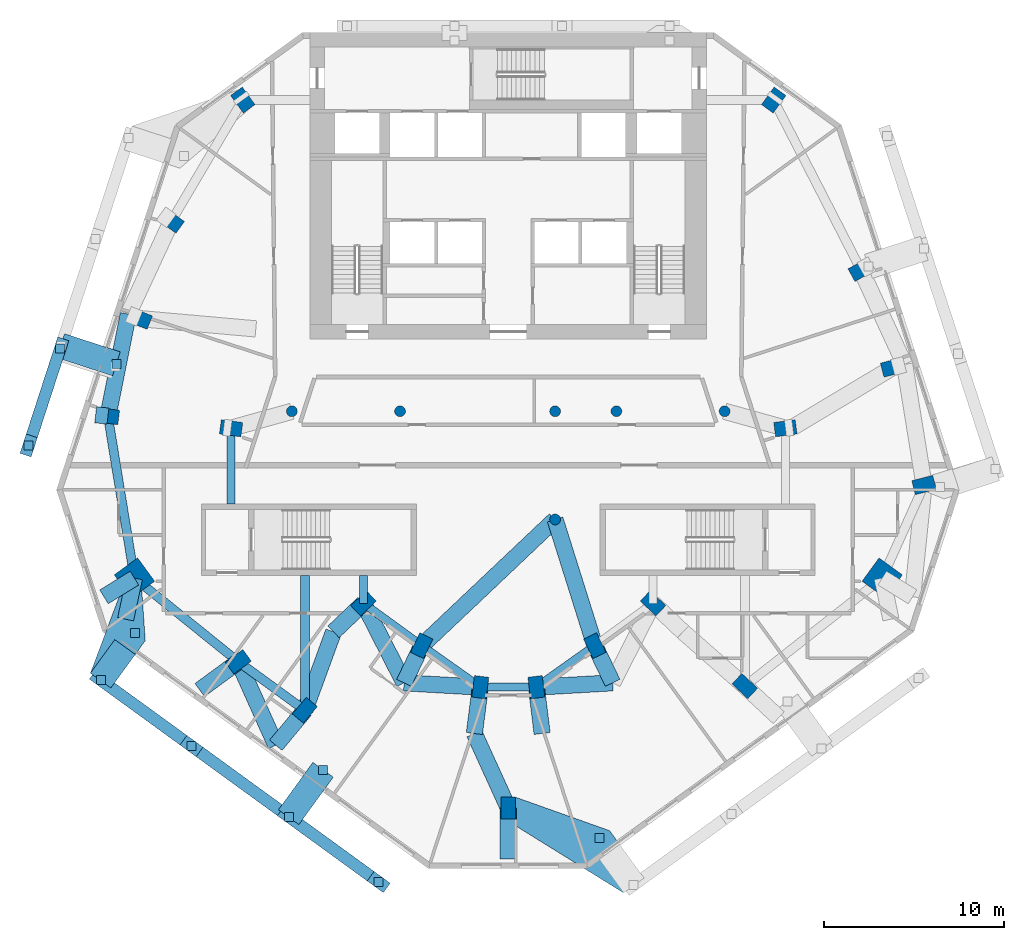
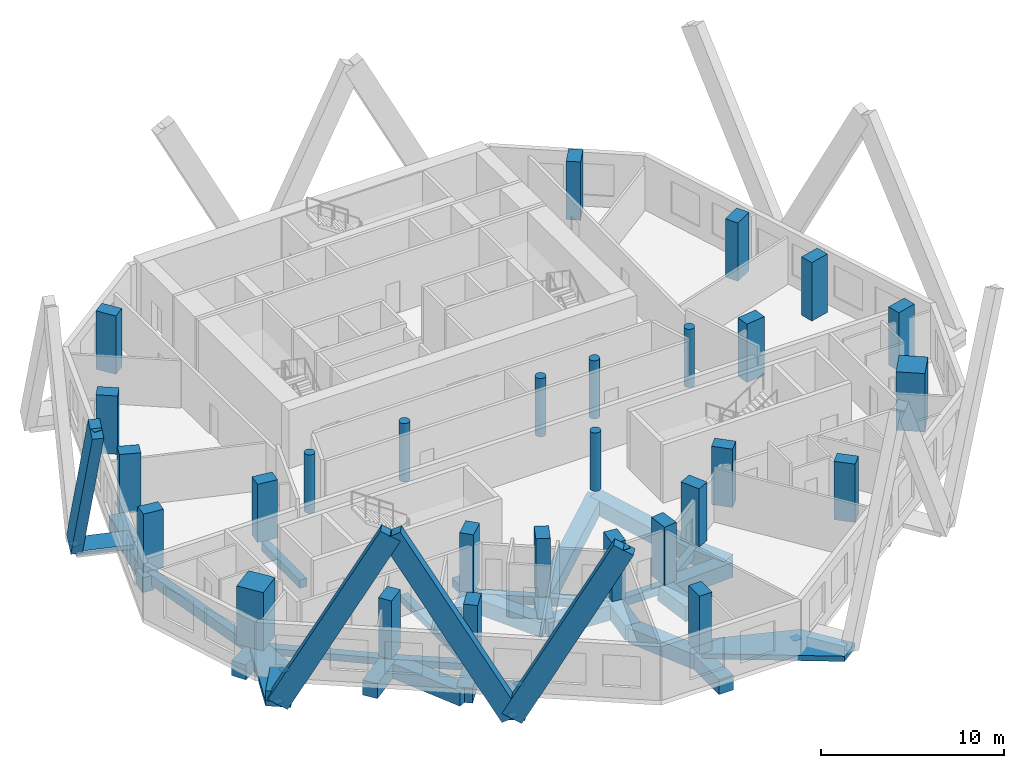
# One storey, part 1 of 10: 30 beams, 28 columns, 10 discrete accessories, 9 members.
"""IFC4 building model written with IfcOpenShell, lengths in metres."""

from ifc_helpers import new_model, si_unit, direction, frame, origin, origin_2d, place, context, subcontext, project, spatial, polyline, rectangle, circle, outline, extrude, material, layer, layer_set, material_profile, profile_set, type_object, element, aggregate, save


model = new_model("IFC4")

# Units and contexts
model_context = context("Model", 3, precision=1e-05, world=origin(), true_north=direction((0.0, 1.0)))
body_context = subcontext(model_context, "Body", "Model", "MODEL_VIEW")
ifc_project = project(units=[si_unit("LENGTHUNIT", "METRE"), si_unit("AREAUNIT", "SQUARE_METRE"), si_unit("VOLUMEUNIT", "CUBIC_METRE"), si_unit("PLANEANGLEUNIT", "RADIAN"), si_unit("MASSUNIT", "GRAM", prefix="KILO")], contexts=[model_context])

# Site, building, storey
site_placement = place(None, origin())
site = spatial("IfcSite", under=ifc_project, at=site_placement, CompositionType="ELEMENT")
building_placement = place(site_placement, origin())
building = spatial("IfcBuilding", under=site, at=building_placement, Name="White Candle Pilgrim Tower", CompositionType="ELEMENT")
storey_placement = place(building_placement, frame((0.0, 0.0, 196.5)))
storey = spatial("IfcBuildingStorey", under=building, at=storey_placement, Name="L45", CompositionType="ELEMENT", Elevation=196.5)

# Columns
ifc_material_1 = material(Name="Concrete C70/85", Category="concrete")
ifc_material_profile_1 = material_profile(ifc_material_1, circle(Radius=0.300048828125, at=origin_2d()), Name="RC-COL D600")
ifc_profile_set_1 = profile_set([ifc_material_profile_1], Name="Concrete C70/85")
column_type_1 = type_object("IfcColumnType", Name="Interior column RC-COL D600 C70/85", PredefinedType="COLUMN", material=ifc_profile_set_1)
for number, where, z_axis, x_axis, name in (
    (1, (58.0, 67.0, 0.0), (0.0, 0.0, 1.0), (1.0, 0.0, 0.0), "L45 column I01"),
    (2, (64.0, 67.0, 0.0), (0.0, 0.0, 1.0), (1.0, 0.0, 0.0), "L45 column I02"),
    (3, (72.60009765625, 61.0, 0.0), (0.0, 0.0, 1.0), (1.0, 0.0, 0.0), "L45 column I03"),
    (4, (72.60009765625, 67.0, 0.0), (0.0, 0.0, 1.0), (1.0, 0.0, 0.0), "L45 column I04"),
    (5, (76.0, 67.0, 0.0), (0.0, 0.0, 1.0), (1.0, 0.0, 0.0), "L45 column I05"),
    (6, (82.0, 67.0, 0.0), (0.0, 0.0, 1.0), (1.0, 0.0, 0.0), "L45 column I06"),
):
    element("IfcColumn", number, at=place(storey_placement, frame(where, z_axis=z_axis, x_axis=x_axis)), inside=storey, type_object=column_type_1, Name=name, PredefinedType="COLUMN", context=body_context, shape_type="SweptSolid", body=[
        extrude(circle(Radius=0.300048828125, at=origin_2d()), origin(), (0.0, 0.0, 1.0), 3.89990234375),
    ])
ifc_material_profile_2 = material_profile(ifc_material_1, rectangle(XDim=1.60009765625, YDim=1.60009765625, at=origin_2d()), Name="RC 1600x1600")
ifc_profile_set_2 = profile_set([ifc_material_profile_2], Name="Concrete C70/85")
column_type_2 = type_object("IfcColumnType", Name="Mega column RC 1600x1600 C70/85", PredefinedType="COLUMN", material=ifc_profile_set_2)
for number, where, z_axis, x_axis, name in (
    (7, (49.27001953125, 57.75, 0.0), (0.0, 0.0, 1.0), (-0.809016994375, -0.587785252292, 0.0), "L45 mega column T01"),
    (8, (90.739990234375, 57.75, 0.0), (0.0, 0.0, 1.0), (0.809016994375, -0.587785252292, 0.0), "L45 mega column T06"),
):
    element("IfcColumn", number, at=place(storey_placement, frame(where, z_axis=z_axis, x_axis=x_axis)), inside=storey, type_object=column_type_2, Name=name, PredefinedType="COLUMN", context=body_context, shape_type="SweptSolid", body=[
        extrude(rectangle(XDim=1.60009765625, YDim=1.60009765625, at=origin_2d()), origin(), (0.0, 0.0, 1.0), 3.89990234375),
    ])
ifc_material_profile_3 = material_profile(ifc_material_1, rectangle(XDim=0.800048828125, YDim=1.199951171875, at=origin_2d()), Name="RC-PR 800x1200")
ifc_profile_set_3 = profile_set([ifc_material_profile_3], Name="Concrete C70/85")
column_type_3 = type_object("IfcColumnType", Name="Perimeter column RC-PR 800x1200 C70/85", PredefinedType="COLUMN", material=ifc_profile_set_3)
for number, where, z_axis, x_axis, name in (
    (9, (55.030029296875, 53.110107421875, 0.0), (0.0, 0.0, 1.0), (-0.58846280644, 0.808524288711, 0.0), "L45 column T02"),
    (10, (58.719970703125, 50.419921875, 0.0), (0.0, 0.0, 1.0), (-0.769310358735, 0.638875239733, 0.0), "L45 column T03"),
    (11, (70.0, 45.0, 0.0), (0.0, 0.0, 1.0), (-1.0, 0.0, 0.0), "L45 column T04"),
    (12, (83.1201171875, 51.760009765625, 0.0), (0.0, 0.0, 1.0), (-0.681998360062, -0.731353701619, 0.0), "L45 column T05"),
    (13, (93.06005859375, 62.909912109375, 0.0), (0.0, 0.0, 1.0), (0.246880623275, -0.969045900797, 0.0), "L45 column T07"),
    (14, (91.320068359375, 69.429931640625, 0.0), (0.0, 0.0, 1.0), (0.246880623275, -0.969045900797, 0.0), "L45 column T08"),
    (15, (89.56005859375, 74.840087890625, 0.0), (0.0, 0.0, 1.0), (0.484809620246, -0.874619707139, 0.0), "L45 column T09"),
    (16, (84.719970703125, 84.260009765625, 0.0), (0.0, 0.0, 1.0), (0.80902725304, -0.587771132193, 0.0), "L45 column T10"),
    (17, (55.280029296875, 84.260009765625, 0.0), (0.0, 0.0, 1.0), (0.80902725304, 0.587771132193, 0.0), "L45 column T11"),
    (18, (51.320068359375, 77.550048828125, 0.0), (0.0, 0.0, 1.0), (0.587107285614, 0.809509132239, 0.0), "L45 column T12"),
    (19, (49.56005859375, 72.139892578125, 0.0), (0.0, 0.0, 1.0), (0.369860269472, 0.929087391512, 0.0), "L45 column T13"),
    (20, (47.800048828125, 66.72998046875, 0.0), (0.0, 0.0, 1.0), (0.121869343405, 0.992546151641, 0.0), "L45 column T14"),
):
    element("IfcColumn", number, at=place(storey_placement, frame(where, z_axis=z_axis, x_axis=x_axis)), inside=storey, type_object=column_type_3, Name=name, PredefinedType="COLUMN", context=body_context, shape_type="SweptSolid", body=[
        extrude(rectangle(XDim=0.800048828125, YDim=1.199951171875, at=origin_2d()), origin(), (0.0, 0.0, 1.0), 3.89990234375),
    ])
ifc_material_profile_4 = material_profile(ifc_material_1, rectangle(XDim=0.800048828125, YDim=1.199951171875, at=origin_2d()), Name="RC-PR 800x1200")
ifc_profile_set_4 = profile_set([ifc_material_profile_4], Name="Concrete C70/85")
column_type_4 = type_object("IfcColumnType", Name="Ring column RC-PR 800x1200 C70/85", PredefinedType="COLUMN", material=ifc_profile_set_4)
for number, where, z_axis, x_axis, name in (
    (21, (61.969970703125, 56.35009765625, 0.0), (0.0, 0.0, 1.0), (-0.689872285383, 0.723931094691, 0.0), "L45 column R01"),
    (22, (65.199951171875, 54.0, 0.0), (0.0, 0.0, 1.0), (-0.901689191761, 0.43238478403, 0.0), "L45 column R02"),
    (23, (68.449951171875, 51.699951171875, 0.0), (0.0, 0.0, 1.0), (-0.992092811428, 0.125506388335, 0.0), "L45 column R03"),
    (24, (71.56005859375, 51.699951171875, 0.0), (0.0, 0.0, 1.0), (-0.992092811428, -0.125506388335, 0.0), "L45 column R04"),
    (25, (74.800048828125, 54.0, 0.0), (0.0, 0.0, 1.0), (-0.901689191761, -0.43238478403, 0.0), "L45 column R05"),
    (26, (78.030029296875, 56.35009765625, 0.0), (0.0, 0.0, 1.0), (-0.689872285383, -0.723931094691, 0.0), "L45 column R06"),
    (27, (85.3701171875, 66.06005859375, 0.0), (0.0, 0.0, 1.0), (0.132602381688, -0.991169313675, 0.0), "L45 column R07"),
    (28, (54.6298828125, 66.06005859375, 0.0), (0.0, 0.0, 1.0), (0.132602381688, 0.991169313675, 0.0), "L45 column R08"),
):
    element("IfcColumn", number, at=place(storey_placement, frame(where, z_axis=z_axis, x_axis=x_axis)), inside=storey, type_object=column_type_4, Name=name, PredefinedType="COLUMN", context=body_context, shape_type="SweptSolid", body=[
        extrude(rectangle(XDim=0.800048828125, YDim=1.199951171875, at=origin_2d()), origin(), (0.0, 0.0, 1.0), 3.89990234375),
    ])

# Member
ifc_material_2 = material(Name="Concrete C70/85, white", Category="concrete")
ifc_material_profile_5 = material_profile(ifc_material_2, rectangle(XDim=0.64990234375, YDim=1.25, at=origin_2d()), Name="RC-DG 650x1250")
ifc_profile_set_5 = profile_set([ifc_material_profile_5], Name="Concrete C70/85, white")
member_type_1 = type_object("IfcMemberType", Name="Exoskeleton diagonal RC-DG 650x1250 C70/85", PredefinedType="BRACE", material=ifc_profile_set_5)
member_1_placement = place(storey_placement, frame((47.40869140625, 52.0859375, 0.0), z_axis=(0.379370278774, -0.275625851101, 0.883237556826), x_axis=(0.587781357708, 0.809019823942, 0.0)))
member_1 = element("IfcMember", 29, at=member_1_placement, inside=storey, type_object=member_type_1, Name="Exoskeleton diagonal EX217", PredefinedType="BRACE", context=body_context, shape_type="SweptSolid", body=[
    extrude(rectangle(XDim=0.64990234375, YDim=1.25, at=origin_2d()), origin(), (0.0, 0.0, 1.0), 13.24658203125),
])

member_2_placement = place(storey_placement, frame((57.83544921875, 44.510498046875, 0.0), z_axis=(-0.400966971692, 0.291319069923, 0.868538247351), x_axis=(-0.587784608725, -0.809017461953, 0.0)))
member_2 = element("IfcMember", 30, at=member_2_placement, inside=storey, type_object=member_type_1, Name="Exoskeleton diagonal EX218", PredefinedType="BRACE", context=body_context, shape_type="SweptSolid", body=[
    extrude(rectangle(XDim=0.64990234375, YDim=1.25, at=origin_2d()), origin(), (0.0, 0.0, 1.0), 13.470947265625),
])

member_3_placement = place(storey_placement, frame((57.83544921875, 44.510498046875, 0.0), z_axis=(0.376745472036, -0.273723072836, 0.884951144808), x_axis=(0.587787311552, 0.809015498231, 0.0)))
member_3 = element("IfcMember", 31, at=member_3_placement, inside=storey, type_object=member_type_1, Name="Exoskeleton diagonal EX219", PredefinedType="BRACE", context=body_context, shape_type="SweptSolid", body=[
    extrude(rectangle(XDim=0.64990234375, YDim=1.25, at=origin_2d()), origin(), (0.0, 0.0, 1.0), 13.220947265625),
])

member_4_placement = place(storey_placement, frame((45.152587890625, 70.482421875, 0.14990234375), z_axis=(-0.135858023989, -0.418129837946, 0.898170382465), x_axis=(0.951056914666, -0.309015768314, 0.0)))
member_4 = element("IfcMember", 32, at=member_4_placement, inside=storey, type_object=member_type_1, Name="Exoskeleton diagonal EX231", PredefinedType="BRACE", context=body_context, shape_type="SweptSolid", body=[
    extrude(rectangle(XDim=0.64990234375, YDim=1.25, at=origin_2d()), origin(), (0.0, 0.0, 1.0), 12.859619140625),
])

ifc_layer_1 = layer(ifc_material_2, 0.300048828125)
ifc_layer_set_1 = layer_set([ifc_layer_1], Name="Node tie strut 3250x1400x300 C70/85")
member_type_2 = type_object("IfcMemberType", Name="Node tie strut 3250x1400x300 C70/85", PredefinedType="STRUT", material=ifc_layer_set_1)
member_5_placement = place(storey_placement, frame((0.0, 0.0, -0.35009765625)))
member_5 = element("IfcMember", 33, at=member_5_placement, inside=storey, type_object=member_type_2, Name="Node tie strut NC155", PredefinedType="STRUT", context=body_context, shape_type="SweptSolid", body=[
    extrude(outline(polyline([(76.3994140625, 40.291015625), (77.5322265625, 41.114013671875), (75.621826171875, 43.7431640625), (70.39990234375, 45.60009765625), (70.39990234375, 44.39990234375), (69.773193359375, 44.39990234375), (76.3994140625, 40.291015625)])), origin(), (0.0, 0.0, 1.0), 0.35009765625),
])

member_6_placement = place(storey_placement, frame((0.0, 0.0, -0.35009765625)))
member_6 = element("IfcMember", 34, at=member_6_placement, inside=storey, type_object=member_type_2, Name="Node tie strut NC157", PredefinedType="STRUT", context=body_context, shape_type="SweptSolid", body=[
    extrude(outline(polyline([(47.960205078125, 51.654296875), (49.87060546875, 54.28369140625), (49.677490234375, 57.057373046875), (49.093017578125, 56.632568359375), (48.630126953125, 57.269775390625), (46.82763671875, 52.477294921875), (47.960205078125, 51.654296875)])), origin(), (0.0, 0.0, 1.0), 0.35009765625),
])

member_7_placement = place(storey_placement, origin())
element("IfcMember", 35, at=member_7_placement, inside=storey, type_object=member_type_2, Name="Node tie strut NC157", PredefinedType="STRUT", context=body_context, shape_type="SweptSolid", body=[
    extrude(outline(polyline([(47.960205078125, 51.654296875), (49.312255859375, 53.51513671875), (48.1796875, 54.337890625), (46.82763671875, 52.477294921875), (47.960205078125, 51.654296875)])), origin(), (0.0, 0.0, 1.0), 0.64990234375),
])

member_8_placement = place(storey_placement, frame((58.77587890625, 45.804931640625, -0.2998046875), z_axis=(0.0, 0.0, 1.0), x_axis=(0.809016994375, -0.587785252292, 0.0)))
member_8 = element("IfcMember", 36, at=member_8_placement, inside=storey, type_object=member_type_2, Name="Node tie strut NC158", PredefinedType="STRUT", context=body_context, shape_type="SweptSolid", body=[
    extrude(rectangle(XDim=1.39990234375, YDim=3.25, at=origin_2d()), origin(), (0.0, 0.0, 1.0), 0.300048828125),
])

member_9_placement = place(storey_placement, frame((46.721923828125, 70.134521484375, -0.2998046875), z_axis=(0.0, 0.0, 1.0), x_axis=(-0.309016994375, -0.951056516295, 0.0)))
member_9 = element("IfcMember", 37, at=member_9_placement, inside=storey, type_object=member_type_2, Name="Node tie strut NC160", PredefinedType="STRUT", context=body_context, shape_type="SweptSolid", body=[
    extrude(rectangle(XDim=1.39990234375, YDim=3.25, at=origin_2d()), origin(), (0.0, 0.0, 1.0), 0.300048828125),
])

# Beams
ifc_material_3 = material(Name="Concrete C50/60", Category="concrete")
ifc_material_profile_6 = material_profile(ifc_material_3, rectangle(XDim=0.449951171875, YDim=0.550048828125, at=origin_2d()), Name="RC-BM 450x550")
ifc_profile_set_6 = profile_set([ifc_material_profile_6], Name="Concrete C50/60")
beam_type_1 = type_object("IfcBeamType", Name="Ring beam RC-BM 450x550 C50/60", PredefinedType="BEAM", material=ifc_profile_set_6)
beam_1_placement = place(storey_placement, frame((61.969970703125, 56.35009765625, -0.574951171875), z_axis=(0.80861448825, -0.588338855926, 0.0), x_axis=(0.588338855926, 0.80861448825, 0.0)))
element("IfcBeam", 38, at=beam_1_placement, inside=storey, type_object=beam_type_1, Name="L45 ring beam R01", PredefinedType="BEAM", context=body_context, shape_type="SweptSolid", body=[
    extrude(rectangle(XDim=0.449951171875, YDim=0.550048828125, at=origin_2d()), origin(), (0.0, 0.0, 1.0), 3.994384765625),
])
beam_2_placement = place(storey_placement, frame((65.199951171875, 54.0, -0.574951171875), z_axis=(0.816265428953, -0.577677028708, 0.0), x_axis=(0.577677028708, 0.816265428953, 0.0)))
element("IfcBeam", 39, at=beam_2_placement, inside=storey, type_object=beam_type_1, Name="L45 ring beam R02", PredefinedType="BEAM", context=body_context, shape_type="SweptSolid", body=[
    extrude(rectangle(XDim=0.449951171875, YDim=0.550048828125, at=origin_2d()), origin(), (0.0, 0.0, 1.0), 3.9814453125),
])
beam_3_placement = place(storey_placement, frame((68.449951171875, 51.699951171875, -0.574951171875), z_axis=(1.0, 0.0, 0.0), x_axis=(0.0, 1.0, 0.0)))
element("IfcBeam", 40, at=beam_3_placement, inside=storey, type_object=beam_type_1, Name="L45 ring beam R03", PredefinedType="BEAM", context=body_context, shape_type="SweptSolid", body=[
    extrude(rectangle(XDim=0.449951171875, YDim=0.550048828125, at=origin_2d()), origin(), (0.0, 0.0, 1.0), 3.110107421875),
])
beam_4_placement = place(storey_placement, frame((71.56005859375, 51.699951171875, -0.574951171875), z_axis=(0.815423878557, 0.578864317677, 0.0), x_axis=(-0.578864317677, 0.815423878557, 0.0)))
element("IfcBeam", 41, at=beam_4_placement, inside=storey, type_object=beam_type_1, Name="L45 ring beam R04", PredefinedType="BEAM", context=body_context, shape_type="SweptSolid", body=[
    extrude(rectangle(XDim=0.449951171875, YDim=0.550048828125, at=origin_2d()), origin(), (0.0, 0.0, 1.0), 3.973388671875),
])
beam_5_placement = place(storey_placement, frame((54.6298828125, 66.06005859375, -0.574951171875), z_axis=(0.0, -1.0, 0.0), x_axis=(1.0, 0.0, 0.0)))
element("IfcBeam", 42, at=beam_5_placement, inside=storey, type_object=beam_type_1, Name="L45 ring beam R08", PredefinedType="BEAM", context=body_context, shape_type="SweptSolid", body=[
    extrude(rectangle(XDim=0.449951171875, YDim=0.550048828125, at=origin_2d()), origin(), (0.0, 0.0, 1.0), 4.2099609375),
])
beam_6_placement = place(storey_placement, frame((61.969970703125, 56.35009765625, -0.574951171875), z_axis=(0.0, 1.0, 0.0), x_axis=(-1.0, 0.0, 0.0)))
element("IfcBeam", 43, at=beam_6_placement, inside=storey, type_object=beam_type_1, Name="L45 ring beam R09", PredefinedType="BEAM", context=body_context, shape_type="SweptSolid", body=[
    extrude(rectangle(XDim=0.449951171875, YDim=0.550048828125, at=origin_2d()), origin(), (0.0, 0.0, 1.0), 1.5498046875),
])
ifc_material_profile_7 = material_profile(ifc_material_3, rectangle(XDim=0.5, YDim=0.449951171875, at=origin_2d()), Name="RC-BM 500x450")
ifc_profile_set_7 = profile_set([ifc_material_profile_7], Name="Concrete C50/60")
beam_type_2 = type_object("IfcBeamType", Name="Spandrel beam RC-BM 500x450 C50/60", PredefinedType="BEAM", material=ifc_profile_set_7)
beam_7_placement = place(storey_placement, frame((49.27001953125, 57.75, -0.52490234375), z_axis=(0.778761523917, -0.627320084858, 0.0), x_axis=(0.627320084858, 0.778761523917, 0.0)))
element("IfcBeam", 44, at=beam_7_placement, inside=storey, type_object=beam_type_2, Name="L45 spandrel beam T01", PredefinedType="BEAM", context=body_context, shape_type="SweptSolid", body=[
    extrude(rectangle(XDim=0.5, YDim=0.449951171875, at=origin_2d()), origin(), (0.0, 0.0, 1.0), 7.396484375),
])
beam_8_placement = place(storey_placement, frame((55.030029296875, 53.110107421875, -0.52490234375), z_axis=(0.808048887147, -0.589115435191, 0.0), x_axis=(0.589115435191, 0.808048887147, 0.0)))
element("IfcBeam", 45, at=beam_8_placement, inside=storey, type_object=beam_type_2, Name="L45 spandrel beam T02", PredefinedType="BEAM", context=body_context, shape_type="SweptSolid", body=[
    extrude(rectangle(XDim=0.5, YDim=0.449951171875, at=origin_2d()), origin(), (0.0, 0.0, 1.0), 4.56640625),
])
beam_9_placement = place(storey_placement, frame((58.719970703125, 50.419921875, -0.52490234375), z_axis=(0.0, 1.0, 0.0), x_axis=(-1.0, 0.0, 0.0)))
element("IfcBeam", 46, at=beam_9_placement, inside=storey, type_object=beam_type_2, Name="L45 spandrel beam T03", PredefinedType="BEAM", context=body_context, shape_type="SweptSolid", body=[
    extrude(rectangle(XDim=0.5, YDim=0.449951171875, at=origin_2d()), origin(), (0.0, 0.0, 1.0), 7.47998046875),
])
ifc_material_profile_8 = material_profile(ifc_material_3, rectangle(XDim=0.5, YDim=0.699951171875, at=origin_2d()), Name="RC-BM 500x700")
ifc_profile_set_8 = profile_set([ifc_material_profile_8], Name="Concrete C50/60")
beam_type_3 = type_object("IfcBeamType", Name="Spandrel beam RC-BM 500x700 C50/60", PredefinedType="BEAM", material=ifc_profile_set_8)
beam_10_placement = place(storey_placement, frame((47.800048828125, 66.72998046875, -0.64990234375), z_axis=(0.161544154404, -0.986865485351, 0.0), x_axis=(0.986865485351, 0.161544154404, 0.0)))
element("IfcBeam", 47, at=beam_10_placement, inside=storey, type_object=beam_type_3, Name="L45 spandrel beam T15", PredefinedType="BEAM", context=body_context, shape_type="SweptSolid", body=[
    extrude(rectangle(XDim=0.5, YDim=0.699951171875, at=origin_2d()), origin(), (0.0, 0.0, 1.0), 9.099609375),
])
ifc_material_profile_9 = material_profile(ifc_material_3, rectangle(XDim=0.89990234375, YDim=1.0, at=origin_2d()), Name="RC-BM 900x1000")
ifc_profile_set_9 = profile_set([ifc_material_profile_9], Name="Concrete C50/60")
beam_type_4 = type_object("IfcBeamType", Name="Transfer girder RC-BM 900x1000 C50/60", PredefinedType="BEAM", material=ifc_profile_set_9)
beam_11_placement = place(storey_placement, frame((70.0, 42.159912109375, -0.800048828125), z_axis=(0.0, 1.0, 0.0), x_axis=(-1.0, 0.0, 0.0)))
element("IfcBeam", 48, at=beam_11_placement, inside=storey, type_object=beam_type_4, Name="L45 transfer girder X03", PredefinedType="BEAM", context=body_context, shape_type="SweptSolid", body=[
    extrude(rectangle(XDim=0.89990234375, YDim=1.0, at=origin_2d()), origin(), (0.0, 0.0, 1.0), 2.840087890625),
])
beam_12_placement = place(storey_placement, frame((70.0, 45.0, -0.800048828125), z_axis=(-0.414289330625, 0.910145235954, 0.0), x_axis=(-0.910145235954, -0.414289330625, 0.0)))
element("IfcBeam", 49, at=beam_12_placement, inside=storey, type_object=beam_type_4, Name="L45 transfer girder X04", PredefinedType="BEAM", context=body_context, shape_type="SweptSolid", body=[
    extrude(rectangle(XDim=0.89990234375, YDim=1.0, at=origin_2d()), origin(), (0.0, 0.0, 1.0), 4.53759765625),
])
beam_13_placement = place(storey_placement, frame((52.889892578125, 51.5400390625, -0.800048828125), z_axis=(0.806290937106, 0.591519166841, 0.0), x_axis=(-0.591519166841, 0.806290937106, 0.0)))
element("IfcBeam", 50, at=beam_13_placement, inside=storey, type_object=beam_type_4, Name="L45 transfer girder X05", PredefinedType="BEAM", context=body_context, shape_type="SweptSolid", body=[
    extrude(rectangle(XDim=0.89990234375, YDim=1.0, at=origin_2d()), origin(), (0.0, 0.0, 1.0), 2.654296875),
])
beam_14_placement = place(storey_placement, frame((55.030029296875, 53.110107421875, -0.800048828125), z_axis=(0.409794621344, -0.912177816173, 0.0), x_axis=(0.912177816173, 0.409794621344, 0.0)))
element("IfcBeam", 51, at=beam_14_placement, inside=storey, type_object=beam_type_4, Name="L45 transfer girder X06", PredefinedType="BEAM", context=body_context, shape_type="SweptSolid", body=[
    extrude(rectangle(XDim=0.89990234375, YDim=1.0, at=origin_2d()), origin(), (0.0, 0.0, 1.0), 5.075927734375),
])
beam_15_placement = place(storey_placement, frame((68.1201171875, 49.1298828125, -0.800048828125), z_axis=(0.127292665227, 0.991865201214, 0.0), x_axis=(-0.991865201214, 0.127292665227, 0.0)))
element("IfcBeam", 52, at=beam_15_placement, inside=storey, type_object=beam_type_4, Name="L45 transfer girder X07", PredefinedType="BEAM", context=body_context, shape_type="SweptSolid", body=[
    extrude(rectangle(XDim=0.89990234375, YDim=1.0, at=origin_2d()), origin(), (0.0, 0.0, 1.0), 2.591064453125),
])
beam_16_placement = place(storey_placement, frame((68.449951171875, 51.699951171875, -0.800048828125), z_axis=(-0.998394414292, 0.056644448185, 0.0), x_axis=(-0.056644448185, -0.998394414292, 0.0)))
element("IfcBeam", 53, at=beam_16_placement, inside=storey, type_object=beam_type_4, Name="L45 transfer girder X08", PredefinedType="BEAM", context=body_context, shape_type="SweptSolid", body=[
    extrude(rectangle(XDim=0.89990234375, YDim=1.0, at=origin_2d()), origin(), (0.0, 0.0, 1.0), 4.23681640625),
])
beam_17_placement = place(storey_placement, frame((71.8798828125, 49.1298828125, -0.800048828125), z_axis=(-0.123489419071, 0.992345888981, 0.0), x_axis=(-0.992345888981, -0.123489419071, 0.0)))
element("IfcBeam", 54, at=beam_17_placement, inside=storey, type_object=beam_type_4, Name="L45 transfer girder X09", PredefinedType="BEAM", context=body_context, shape_type="SweptSolid", body=[
    extrude(rectangle(XDim=0.89990234375, YDim=1.0, at=origin_2d()), origin(), (0.0, 0.0, 1.0), 2.58984375),
])
beam_18_placement = place(storey_placement, frame((71.56005859375, 51.699951171875, -0.800048828125), z_axis=(0.998394414292, 0.056644448185, 0.0), x_axis=(-0.056644448185, 0.998394414292, 0.0)))
element("IfcBeam", 55, at=beam_18_placement, inside=storey, type_object=beam_type_4, Name="L45 transfer girder X10", PredefinedType="BEAM", context=body_context, shape_type="SweptSolid", body=[
    extrude(rectangle(XDim=0.89990234375, YDim=1.0, at=origin_2d()), origin(), (0.0, 0.0, 1.0), 4.23681640625),
])
beam_19_placement = place(storey_placement, frame((57.110107421875, 48.47998046875, -0.800048828125), z_axis=(0.638601756576, 0.769537391228, 0.0), x_axis=(-0.769537391228, 0.638601756576, 0.0)))
element("IfcBeam", 56, at=beam_19_placement, inside=storey, type_object=beam_type_4, Name="L45 transfer girder X13", PredefinedType="BEAM", context=body_context, shape_type="SweptSolid", body=[
    extrude(rectangle(XDim=0.89990234375, YDim=1.0, at=origin_2d()), origin(), (0.0, 0.0, 1.0), 2.52099609375),
])
beam_20_placement = place(storey_placement, frame((58.719970703125, 50.419921875, -0.800048828125), z_axis=(0.343312785926, 0.93922112999, 0.0), x_axis=(-0.93922112999, 0.343312785926, 0.0)))
element("IfcBeam", 57, at=beam_20_placement, inside=storey, type_object=beam_type_4, Name="L45 transfer girder X14", PredefinedType="BEAM", context=body_context, shape_type="SweptSolid", body=[
    extrude(rectangle(XDim=0.89990234375, YDim=1.0, at=origin_2d()), origin(), (0.0, 0.0, 1.0), 4.631591796875),
])
beam_21_placement = place(storey_placement, frame((48.780029296875, 55.469970703125, -0.800048828125), z_axis=(0.210108153534, 0.977678149402, 0.0), x_axis=(-0.977678149402, 0.210108153534, 0.0)))
element("IfcBeam", 58, at=beam_21_placement, inside=storey, type_object=beam_type_4, Name="L45 transfer girder X15", PredefinedType="BEAM", context=body_context, shape_type="SweptSolid", body=[
    extrude(rectangle(XDim=0.89990234375, YDim=1.0, at=origin_2d()), origin(), (0.0, 0.0, 1.0), 2.33203125),
])
beam_22_placement = place(storey_placement, frame((49.27001953125, 57.75, -0.800048828125), z_axis=(-0.851641418887, -0.524124883626, 0.0), x_axis=(0.524124883626, -0.851641418887, 0.0)))
element("IfcBeam", 59, at=beam_22_placement, inside=storey, type_object=beam_type_4, Name="L45 transfer girder X16", PredefinedType="BEAM", context=body_context, shape_type="SweptSolid", body=[
    extrude(rectangle(XDim=0.89990234375, YDim=1.0, at=origin_2d()), origin(), (0.0, 0.0, 1.0), 1.984375),
])
beam_23_placement = place(storey_placement, frame((60.31005859375, 54.77001953125, -0.800048828125), z_axis=(0.724310183523, 0.689474262062, 0.0), x_axis=(-0.689474262062, 0.724310183523, 0.0)))
element("IfcBeam", 60, at=beam_23_placement, inside=storey, type_object=beam_type_4, Name="L45 transfer girder X19", PredefinedType="BEAM", context=body_context, shape_type="SweptSolid", body=[
    extrude(rectangle(XDim=0.89990234375, YDim=1.0, at=origin_2d()), origin(), (0.0, 0.0, 1.0), 2.291748046875),
])
beam_24_placement = place(storey_placement, frame((61.969970703125, 56.35009765625, -0.800048828125), z_axis=(0.45445756555, -0.890768388031, 0.0), x_axis=(0.890768388031, 0.45445756555, 0.0)))
element("IfcBeam", 61, at=beam_24_placement, inside=storey, type_object=beam_type_4, Name="L45 transfer girder X20", PredefinedType="BEAM", context=body_context, shape_type="SweptSolid", body=[
    extrude(rectangle(XDim=0.89990234375, YDim=1.0, at=origin_2d()), origin(), (0.0, 0.0, 1.0), 4.950927734375),
])
beam_25_placement = place(storey_placement, frame((75.7900390625, 51.93994140625, -0.800048828125), z_axis=(-0.433144262109, 0.901324607565, 0.0), x_axis=(-0.901324607565, -0.433144262109, 0.0)))
element("IfcBeam", 62, at=beam_25_placement, inside=storey, type_object=beam_type_4, Name="L45 transfer girder X23", PredefinedType="BEAM", context=body_context, shape_type="SweptSolid", body=[
    extrude(rectangle(XDim=0.89990234375, YDim=1.0, at=origin_2d()), origin(), (0.0, 0.0, 1.0), 2.28564453125),
])
beam_26_placement = place(storey_placement, frame((74.800048828125, 54.0, -0.800048828125), z_axis=(-0.299820540406, 0.9539956203, 0.0), x_axis=(-0.9539956203, -0.299820540406, 0.0)))
element("IfcBeam", 63, at=beam_26_placement, inside=storey, type_object=beam_type_4, Name="L45 transfer girder X24", PredefinedType="BEAM", context=body_context, shape_type="SweptSolid", body=[
    extrude(rectangle(XDim=0.89990234375, YDim=1.0, at=origin_2d()), origin(), (0.0, 0.0, 1.0), 7.337646484375),
])
beam_27_placement = place(storey_placement, frame((64.219970703125, 51.93994140625, -0.800048828125), z_axis=(0.42957628754, 0.903030571566, 0.0), x_axis=(-0.903030571566, 0.42957628754, 0.0)))
element("IfcBeam", 64, at=beam_27_placement, inside=storey, type_object=beam_type_4, Name="L45 transfer girder X25", PredefinedType="BEAM", context=body_context, shape_type="SweptSolid", body=[
    extrude(rectangle(XDim=0.89990234375, YDim=1.0, at=origin_2d()), origin(), (0.0, 0.0, 1.0), 2.28125),
])
beam_28_placement = place(storey_placement, frame((65.199951171875, 54.0, -0.800048828125), z_axis=(0.726475207984, 0.687192674716, 0.0), x_axis=(-0.687192674716, 0.726475207984, 0.0)))
element("IfcBeam", 65, at=beam_28_placement, inside=storey, type_object=beam_type_4, Name="L45 transfer girder X26", PredefinedType="BEAM", context=body_context, shape_type="SweptSolid", body=[
    extrude(rectangle(XDim=0.89990234375, YDim=1.0, at=origin_2d()), origin(), (0.0, 0.0, 1.0), 10.186279296875),
])
beam_29_placement = place(storey_placement, frame((47.1201171875, 66.81005859375, -0.800048828125), z_axis=(0.993135991713, -0.116965387893, 0.0), x_axis=(0.116965387893, 0.993135991713, 0.0)))
element("IfcBeam", 66, at=beam_29_placement, inside=storey, type_object=beam_type_4, Name="L45 transfer girder X31", PredefinedType="BEAM", context=body_context, shape_type="SweptSolid", body=[
    extrude(rectangle(XDim=0.89990234375, YDim=1.0, at=origin_2d()), origin(), (0.0, 0.0, 1.0), 0.6845703125),
])
beam_30_placement = place(storey_placement, frame((47.800048828125, 66.72998046875, -0.800048828125), z_axis=(0.195766330749, 0.980650571684, 0.0), x_axis=(-0.980650571684, 0.195766330749, 0.0)))
element("IfcBeam", 67, at=beam_30_placement, inside=storey, type_object=beam_type_4, Name="L45 transfer girder X32", PredefinedType="BEAM", context=body_context, shape_type="SweptSolid", body=[
    extrude(rectangle(XDim=0.89990234375, YDim=1.0, at=origin_2d()), origin(), (0.0, 0.0, 1.0), 5.771484375),
])

# Discrete accessory
ifc_material_4 = material(Name="Steel S355", Category="steel")
ifc_layer_2 = layer(ifc_material_4, 0.02490234375)
ifc_layer_set_2 = layer_set([ifc_layer_2], Name="Gusset plate 500x500x25 S355")
discrete_accessory_type = type_object("IfcDiscreteAccessoryType", Name="Gusset plate 500x500x25 S355", PredefinedType="BRACKET", material=ifc_layer_set_2)
discrete_accessory_1_placement = place(storey_placement, frame((47.40869140625, 52.0859375, -0.012451171875), z_axis=(0.0, 0.0, 1.0), x_axis=(1.0, 0.0, 0.0)))
discrete_accessory_1 = element("IfcDiscreteAccessory", 68, at=discrete_accessory_1_placement, type_object=discrete_accessory_type, Name="Gusset plate 0248", PredefinedType="BRACKET", context=body_context, shape_type="SweptSolid", body=[
    extrude(rectangle(XDim=0.5, YDim=0.5, at=origin_2d()), origin(), (0.0, 0.0, 1.0), 0.02490234375),
])

placement = place(building_placement, frame((0.0, 0.0, 208.199951171875)))
discrete_accessory_2_placement = place(placement, frame((52.43408203125, 48.434814453125, -0.012451171875), z_axis=(0.0, 0.0, 1.0), x_axis=(1.0, 0.0, 0.0)))
discrete_accessory_2 = element("IfcDiscreteAccessory", 69, at=discrete_accessory_2_placement, type_object=discrete_accessory_type, Name="Gusset plate 0249", PredefinedType="BRACKET", context=body_context, shape_type="SweptSolid", body=[
    extrude(rectangle(XDim=0.5, YDim=0.5, at=origin_2d()), origin(), (0.0, 0.0, 1.0), 0.02490234375),
])

aggregate(member_1, [discrete_accessory_1, discrete_accessory_2])

discrete_accessory_3_placement = place(storey_placement, frame((57.83544921875, 44.510498046875, -0.012451171875), z_axis=(0.0, 0.0, 1.0), x_axis=(1.0, 0.0, 0.0)))
discrete_accessory_3 = element("IfcDiscreteAccessory", 70, at=discrete_accessory_3_placement, type_object=discrete_accessory_type, Name="Gusset plate 0250", PredefinedType="BRACKET", context=body_context, shape_type="SweptSolid", body=[
    extrude(rectangle(XDim=0.5, YDim=0.5, at=origin_2d()), origin(), (0.0, 0.0, 1.0), 0.02490234375),
])

aggregate(member_2, [discrete_accessory_3])

discrete_accessory_4_placement = place(placement, frame((62.81640625, 40.8916015625, -0.012451171875), z_axis=(0.0, 0.0, 1.0), x_axis=(1.0, 0.0, 0.0)))
discrete_accessory_4 = element("IfcDiscreteAccessory", 71, at=discrete_accessory_4_placement, type_object=discrete_accessory_type, Name="Gusset plate 0251", PredefinedType="BRACKET", context=body_context, shape_type="SweptSolid", body=[
    extrude(rectangle(XDim=0.5, YDim=0.5, at=origin_2d()), origin(), (0.0, 0.0, 1.0), 0.02490234375),
])

aggregate(member_3, [discrete_accessory_4])

discrete_accessory_5_placement = place(storey_placement, frame((45.152587890625, 70.482421875, 0.137451171875), z_axis=(0.0, 0.0, 1.0), x_axis=(1.0, 0.0, 0.0)))
discrete_accessory_5 = element("IfcDiscreteAccessory", 72, at=discrete_accessory_5_placement, type_object=discrete_accessory_type, Name="Gusset plate 0267", PredefinedType="BRACKET", context=body_context, shape_type="SweptSolid", body=[
    extrude(rectangle(XDim=0.5, YDim=0.5, at=origin_2d()), origin(), (0.0, 0.0, 1.0), 0.02490234375),
])

discrete_accessory_6_placement = place(placement, frame((43.405517578125, 65.10546875, -0.012451171875), z_axis=(0.0, 0.0, 1.0), x_axis=(1.0, 0.0, 0.0)))
discrete_accessory_6 = element("IfcDiscreteAccessory", 73, at=discrete_accessory_6_placement, type_object=discrete_accessory_type, Name="Gusset plate 0268", PredefinedType="BRACKET", context=body_context, shape_type="SweptSolid", body=[
    extrude(rectangle(XDim=0.5, YDim=0.5, at=origin_2d()), origin(), (0.0, 0.0, 1.0), 0.02490234375),
])

aggregate(member_4, [discrete_accessory_5, discrete_accessory_6])

discrete_accessory_7_placement = place(storey_placement, frame((75.055419921875, 43.331787109375, -0.162353515625), z_axis=(0.0, 0.0, 1.0), x_axis=(1.0, 0.0, 0.0)))
discrete_accessory_7 = element("IfcDiscreteAccessory", 74, at=discrete_accessory_7_placement, type_object=discrete_accessory_type, Name="Gusset plate 0536", PredefinedType="BRACKET", context=body_context, shape_type="SweptSolid", body=[
    extrude(rectangle(XDim=0.5, YDim=0.5, at=origin_2d()), origin(), (0.0, 0.0, 1.0), 0.02490234375),
])

aggregate(member_5, [discrete_accessory_7])

discrete_accessory_8_placement = place(storey_placement, frame((49.30419921875, 54.695068359375, -0.162353515625), z_axis=(0.0, 0.0, 1.0), x_axis=(1.0, 0.0, 0.0)))
discrete_accessory_8 = element("IfcDiscreteAccessory", 75, at=discrete_accessory_8_placement, type_object=discrete_accessory_type, Name="Gusset plate 0538", PredefinedType="BRACKET", context=body_context, shape_type="SweptSolid", body=[
    extrude(rectangle(XDim=0.5, YDim=0.5, at=origin_2d()), origin(), (0.0, 0.0, 1.0), 0.02490234375),
])

aggregate(member_6, [discrete_accessory_8])

discrete_accessory_9_placement = place(storey_placement, frame((59.731201171875, 47.11962890625, -0.162353515625), z_axis=(0.0, 0.0, 1.0), x_axis=(1.0, 0.0, 0.0)))
discrete_accessory_9 = element("IfcDiscreteAccessory", 76, at=discrete_accessory_9_placement, type_object=discrete_accessory_type, Name="Gusset plate 0539", PredefinedType="BRACKET", context=body_context, shape_type="SweptSolid", body=[
    extrude(rectangle(XDim=0.5, YDim=0.5, at=origin_2d()), origin(), (0.0, 0.0, 1.0), 0.02490234375),
])

aggregate(member_8, [discrete_accessory_9])

discrete_accessory_10_placement = place(storey_placement, frame((48.267578125, 69.63232421875, -0.162353515625), z_axis=(0.0, 0.0, 1.0), x_axis=(1.0, 0.0, 0.0)))
discrete_accessory_10 = element("IfcDiscreteAccessory", 77, at=discrete_accessory_10_placement, type_object=discrete_accessory_type, Name="Gusset plate 0541", PredefinedType="BRACKET", context=body_context, shape_type="SweptSolid", body=[
    extrude(rectangle(XDim=0.5, YDim=0.5, at=origin_2d()), origin(), (0.0, 0.0, 1.0), 0.02490234375),
])

aggregate(member_9, [discrete_accessory_10])

save(model, "model.ifc")
